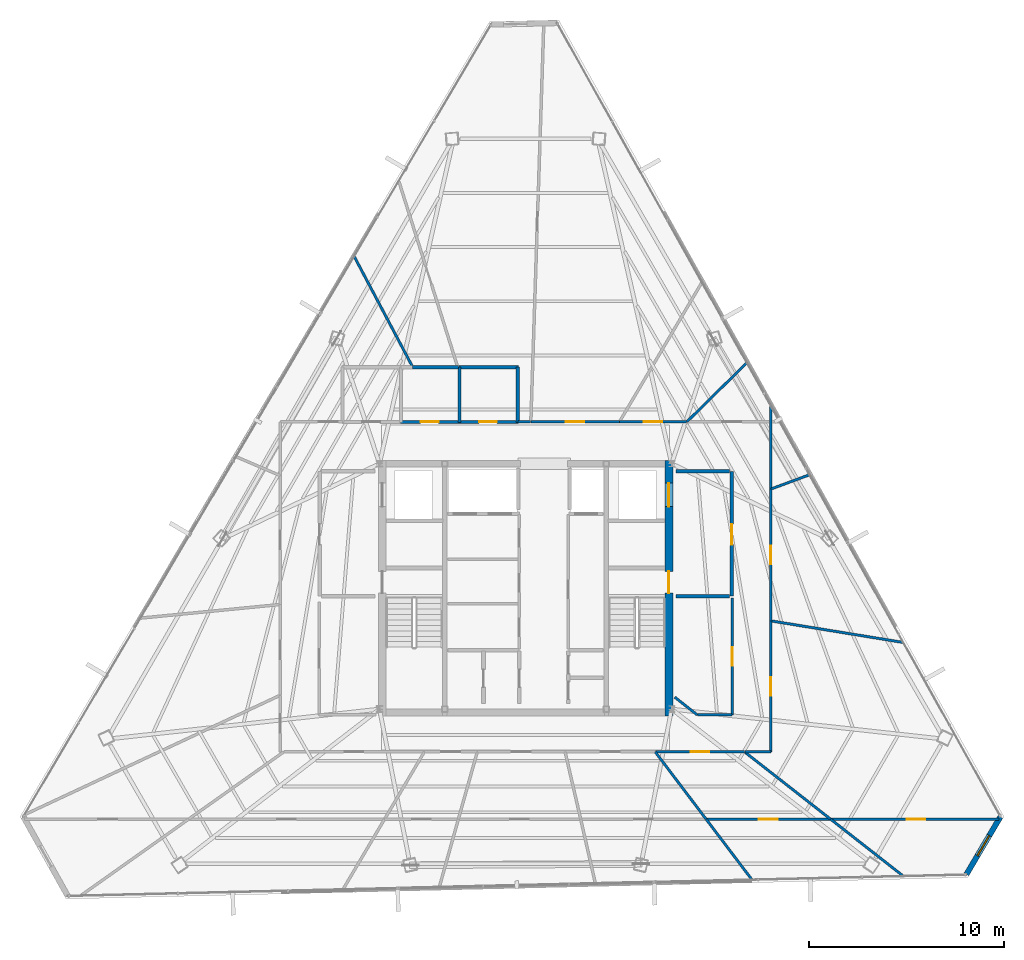
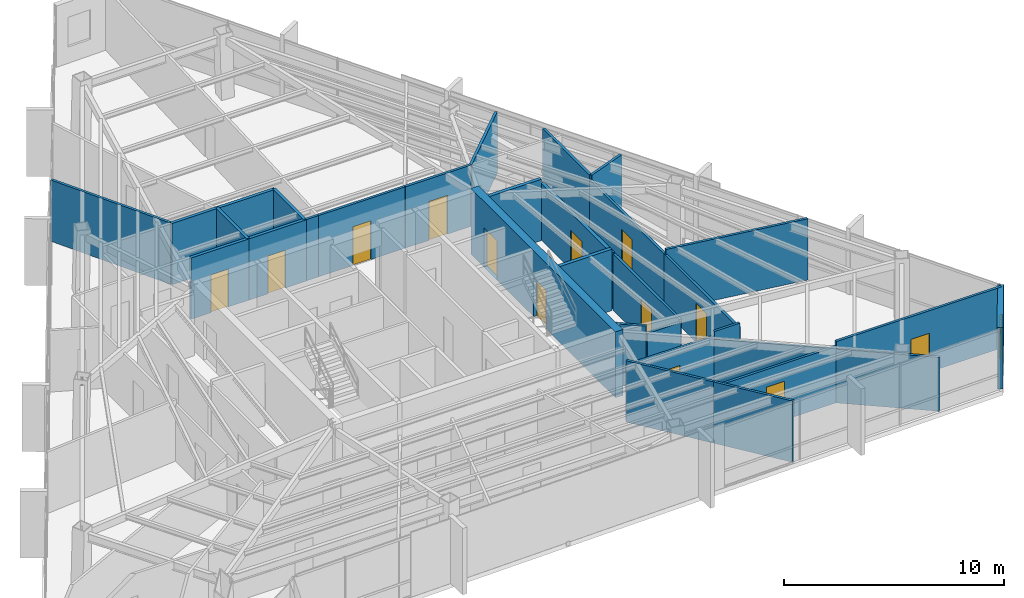
# One storey, part 41 of 44: 32 walls, 13 doors, 1 window, 14 openings.
"""IFC4 building model written with IfcOpenShell, lengths in metres."""

from ifc_helpers import new_model, si_unit, direction, frame, frame_2d, origin, place, context, subcontext, project, spatial, rectangle, extrude, material, layer, layer_set, type_object, element, fill, save


model = new_model("IFC4")

# Units and contexts
model_context = context("Model", 3, precision=1e-05, world=origin(), true_north=direction((0.0, 1.0)))
body_context = subcontext(model_context, "Body", "Model", "MODEL_VIEW")
ifc_project = project(units=[si_unit("LENGTHUNIT", "METRE"), si_unit("AREAUNIT", "SQUARE_METRE"), si_unit("VOLUMEUNIT", "CUBIC_METRE"), si_unit("PLANEANGLEUNIT", "RADIAN"), si_unit("MASSUNIT", "GRAM", prefix="KILO")], contexts=[model_context])

# Site, building, storey
site_placement = place(None, origin())
site = spatial("IfcSite", under=ifc_project, at=site_placement, CompositionType="ELEMENT")
building_placement = place(site_placement, origin())
building = spatial("IfcBuilding", under=site, at=building_placement, Name="Caelisora Broadcast Tower", CompositionType="ELEMENT")
storey_placement = place(building_placement, frame((0.0, 0.0, 259.050048828125)))
storey = spatial("IfcBuildingStorey", under=building, at=storey_placement, Name="L68", CompositionType="ELEMENT", Elevation=259.050048828125)

# Wall, openings, doors
ifc_material_1 = material(Name="Concrete 40 MPa (AS 3600 N40)", Category="concrete")
ifc_layer_1 = layer(ifc_material_1, 0.39990234375, Name="Concrete 40 MPa (AS 3600 N40)")
ifc_layer_set_1 = layer_set([ifc_layer_1], Name="Concrete 40 MPa (AS 3600 N40)")
wall_type_1 = type_object("IfcWallType", Name="CW3", PredefinedType="SHEAR", material=ifc_layer_set_1)
wall_1_placement = place(storey_placement, frame((45.360107421875, 17.050048828125, 0.0), z_axis=(0.0, 0.0, 1.0), x_axis=(0.0, 1.0, 0.0)))
wall_1 = element("IfcWall", 1, at=wall_1_placement, inside=storey, type_object=wall_type_1, Name="L68 core shear wall CW3", PredefinedType="SHEAR", context=body_context, shape_type="SweptSolid", body=[
    extrude(rectangle(XDim=13.125, YDim=0.39990234375, at=frame_2d((6.5625, 0.0))), origin(), (0.0, 0.0, 1.0), 3.64990234375),
])
opening_1_placement = place(wall_1_placement, frame((6.300048828125, 0.0, 0.0)))
opening_1 = element("IfcOpeningElement", 2, at=opening_1_placement, cuts=wall_1, Name="Opening FD04", PredefinedType="OPENING", context=body_context, shape_type="SweptSolid", body=[
    extrude(rectangle(XDim=1.1201171875, YDim=2.14990234375, at=frame_2d((0.56005859375, 1.074951171875))), frame((0.0, 0.2119140625, 0.0), z_axis=(0.0, -1.0, 0.0), x_axis=(1.0, 0.0, 0.0)), (0.0, 0.0, 1.0), 0.423828125),
])
opening_2_placement = place(wall_1_placement, frame((10.75, 0.0, 0.0)))
opening_2 = element("IfcOpeningElement", 3, at=opening_2_placement, cuts=wall_1, Name="Opening LD04", PredefinedType="OPENING", context=body_context, shape_type="SweptSolid", body=[
    extrude(rectangle(XDim=1.199951171875, YDim=2.199951171875, at=frame_2d((0.60009765625, 1.10009765625))), frame((0.0, 0.2119140625, 0.0), z_axis=(0.0, -1.0, 0.0), x_axis=(1.0, 0.0, 0.0)), (0.0, 0.0, 1.0), 0.423828125),
])
ifc_material_2 = material(Name="Pressurised Fire-Isolated Stair Door", Category="steel")
door_type_1 = type_object("IfcDoorType", Name="FD04", OperationType="NOTDEFINED", PredefinedType="DOOR", material=ifc_material_2)
door_1_placement = place(opening_1_placement, origin())
door_1 = element("IfcDoor", 4, at=door_1_placement, inside=storey, type_object=door_type_1, Name="L68 door FD04 (L68-DR-ST2)", OperationType="SINGLE_SWING_RIGHT", OverallHeight=2.14990234375, OverallWidth=1.1201171875, PredefinedType="DOOR", context=body_context, shape_type="SweptSolid", body=[
    extrude(rectangle(XDim=1.1201171875, YDim=2.14990234375, at=frame_2d((0.56005859375, 1.074951171875))), frame((0.0, 0.02490234375, 0.0), z_axis=(0.0, -1.0, 0.0), x_axis=(1.0, 0.0, 0.0)), (0.0, 0.0, 1.0), 0.050048828125),
])
fill(opening_1, door_1)
ifc_material_3 = material(Name="Emergency Firefighting Lift Sliding Landing Door", Category="steel")
door_type_2 = type_object("IfcDoorType", Name="LD04", OperationType="NOTDEFINED", PredefinedType="DOOR", material=ifc_material_3)
door_2_placement = place(opening_2_placement, origin())
door_2 = element("IfcDoor", 5, at=door_2_placement, inside=storey, type_object=door_type_2, Name="L68 door LD04 (L68-LD-FFL2)", OperationType="SLIDING_TO_RIGHT", OverallHeight=2.199951171875, OverallWidth=1.199951171875, PredefinedType="DOOR", context=body_context, shape_type="SweptSolid", body=[
    extrude(rectangle(XDim=1.199951171875, YDim=2.199951171875, at=frame_2d((0.60009765625, 1.10009765625))), frame((0.0, 0.02490234375, 0.0), z_axis=(0.0, -1.0, 0.0), x_axis=(1.0, 0.0, 0.0)), (0.0, 0.0, 1.0), 0.050048828125),
])
fill(opening_2, door_2)

# Wall, opening, window
ifc_material_4 = material(Name="Insulated Terracotta Spandrel Wall System", Category="masonry")
ifc_layer_2 = layer(ifc_material_4, 0.280029296875, Name="Insulated Terracotta Spandrel Wall System")
ifc_layer_set_2 = layer_set([ifc_layer_2], Name="Insulated Terracotta Spandrel Wall System")
wall_type_2 = type_object("IfcWallType", Name="EW1", PredefinedType="STANDARD", material=ifc_layer_set_2)
wall_2_placement = place(storey_placement, frame((62.376708984375, 11.86328125, 0.0), z_axis=(0.0, 0.0, 1.0), x_axis=(-0.508430793403, -0.861102855831, 0.0)))
wall_2 = element("IfcWall", 6, at=wall_2_placement, inside=storey, type_object=wall_type_2, Name="L68 exterior envelope wall EW1", PredefinedType="STANDARD", context=body_context, shape_type="SweptSolid", body=[
    extrude(rectangle(XDim=3.4169921875, YDim=0.280029296875, at=frame_2d((1.70849609375, 0.0))), origin(), (0.0, 0.0, 1.0), 3.39990234375),
])
opening_3_placement = place(wall_2_placement, frame((1.110107421875, 0.0, 0.89990234375)))
opening_3 = element("IfcOpeningElement", 7, at=opening_3_placement, cuts=wall_2, Name="Opening W03", PredefinedType="OPENING", context=body_context, shape_type="SweptSolid", body=[
    extrude(rectangle(XDim=1.199951171875, YDim=1.64990234375, at=frame_2d((0.60009765625, 0.824951171875))), frame((0.0, 0.152099609375, 0.0), z_axis=(0.0, -1.0, 0.0), x_axis=(1.0, 0.0, 0.0)), (0.0, 0.0, 1.0), 0.303955078125),
])
ifc_material_5 = material(Name="Double Glazed Corner Vision Window", Category="glass")
window_type = type_object("IfcWindowType", Name="W03", PartitioningType="SINGLE_PANEL", PredefinedType="WINDOW", material=ifc_material_5)
window_placement = place(opening_3_placement, origin())
window = element("IfcWindow", 8, at=window_placement, inside=storey, type_object=window_type, Name="L68 window W03 (L68-WN-CH0)", OverallHeight=1.64990234375, OverallWidth=1.199951171875, PartitioningType="SINGLE_PANEL", PredefinedType="WINDOW", context=body_context, shape_type="SweptSolid", body=[
    extrude(rectangle(XDim=1.199951171875, YDim=1.64990234375, at=frame_2d((0.60009765625, 0.824951171875))), frame((0.0, 0.030029296875, 0.0), z_axis=(0.0, -1.0, 0.0), x_axis=(1.0, 0.0, 0.0)), (0.0, 0.0, 1.0), 0.06005859375),
])
fill(opening_3, window)

# Wall, opening, door
ifc_material_6 = material(Name="Fire-Rated Gypsum Shaft and Compartment Wall", Category="gypsum")
ifc_layer_3 = layer(ifc_material_6, 0.179931640625, Name="Fire-Rated Gypsum Shaft and Compartment Wall")
ifc_layer_set_3 = layer_set([ifc_layer_3], Name="Fire-Rated Gypsum Shaft and Compartment Wall")
wall_type_3 = type_object("IfcWallType", Name="PW2", PredefinedType="PARTITIONING", material=ifc_layer_set_3)
wall_3_placement = place(storey_placement, frame((48.580078125, 23.199951171875, 0.0), z_axis=(0.0, 0.0, 1.0), x_axis=(0.0, 1.0, 0.0)))
wall_3 = element("IfcWall", 9, at=wall_3_placement, inside=storey, type_object=wall_type_3, Name="L68 fire compartment wall PW2", PredefinedType="PARTITIONING", context=body_context, shape_type="SweptSolid", body=[
    extrude(rectangle(XDim=6.400146484375, YDim=0.179931640625, at=frame_2d((3.2001953125, 0.0))), origin(), (0.0, 0.0, 1.0), 3.128662109375),
])
opening_4_placement = place(wall_3_placement, frame((2.64990234375, 0.0, 0.0)))
opening_4 = element("IfcOpeningElement", 10, at=opening_4_placement, cuts=wall_3, Name="Opening FD02", PredefinedType="OPENING", context=body_context, shape_type="SweptSolid", body=[
    extrude(rectangle(XDim=1.050048828125, YDim=2.14990234375, at=frame_2d((0.52490234375, 1.074951171875))), frame((0.0, 0.10205078125, 0.0), z_axis=(0.0, -1.0, 0.0), x_axis=(1.0, 0.0, 0.0)), (0.0, 0.0, 1.0), 0.203857421875),
])
ifc_material_7 = material(Name="Single-Leaf Steel Fire Lobby Door", Category="steel")
door_type_3 = type_object("IfcDoorType", Name="FD02", OperationType="NOTDEFINED", PredefinedType="DOOR", material=ifc_material_7)
door_3_placement = place(opening_4_placement, origin())
door_3 = element("IfcDoor", 11, at=door_3_placement, inside=storey, type_object=door_type_3, Name="L68 door FD02 (L68-DR-P04D1)", OperationType="SINGLE_SWING_RIGHT", OverallHeight=2.14990234375, OverallWidth=1.050048828125, PredefinedType="DOOR", context=body_context, shape_type="SweptSolid", body=[
    extrude(rectangle(XDim=1.050048828125, YDim=2.14990234375, at=frame_2d((0.52490234375, 1.074951171875))), frame((0.0, 0.02490234375, 0.0), z_axis=(0.0, -1.0, 0.0), x_axis=(1.0, 0.0, 0.0)), (0.0, 0.0, 1.0), 0.050048828125),
])
fill(opening_4, door_3)

# Walls
for number, where, z_axis, x_axis, name in (
    (12, (45.719970703125, 23.199951171875, 0.0), (0.0, 0.0, 1.0), (1.0, 0.0, 0.0), "L68 fire compartment wall PW2"),
    (13, (45.719970703125, 29.60009765625, 0.0), (0.0, 0.0, 1.0), (1.0, 0.0, 0.0), "L68 fire compartment wall PW2"),
):
    element("IfcWall", number, at=place(storey_placement, frame(where, z_axis=z_axis, x_axis=x_axis)), inside=storey, type_object=wall_type_3, Name=name, PredefinedType="PARTITIONING", context=body_context, shape_type="SweptSolid", body=[
        extrude(rectangle(XDim=2.760009765625, YDim=0.179931640625, at=frame_2d((1.3798828125, 0.0))), origin(), (0.0, 0.0, 1.0), 3.39990234375),
    ])

# Wall, opening, door
ifc_material_8 = material(Name="Acoustic Steel-Stud Plasterboard Partition", Category="gypsum")
ifc_layer_4 = layer(ifc_material_8, 0.1298828125, Name="Acoustic Steel-Stud Plasterboard Partition")
ifc_layer_set_4 = layer_set([ifc_layer_4], Name="Acoustic Steel-Stud Plasterboard Partition")
wall_type_4 = type_object("IfcWallType", Name="PW3", PredefinedType="PARTITIONING", material=ifc_layer_set_4)
wall_4_placement = place(storey_placement, frame((53.6650390625, 11.75, 0.0), z_axis=(0.0, 0.0, 1.0), x_axis=(1.0, 0.0, 0.0)))
wall_4 = element("IfcWall", 14, at=wall_4_placement, inside=storey, type_object=wall_type_4, Name="L68 internal partition PW3", PredefinedType="PARTITIONING", context=body_context, shape_type="SweptSolid", body=[
    extrude(rectangle(XDim=8.650634765625, YDim=0.1298828125, at=frame_2d((4.3251953125, 0.0))), origin(), (0.0, 0.0, 1.0), 3.39990234375),
])
opening_5_placement = place(wall_4_placement, frame((3.903076171875, 0.0, 0.0)))
opening_5 = element("IfcOpeningElement", 15, at=opening_5_placement, cuts=wall_4, Name="Opening D01", PredefinedType="OPENING", context=body_context, shape_type="SweptSolid", body=[
    extrude(rectangle(XDim=0.9599609375, YDim=2.14990234375, at=frame_2d((0.47998046875, 1.074951171875))), frame((0.0, 0.076904296875, 0.0), z_axis=(0.0, -1.0, 0.0), x_axis=(1.0, 0.0, 0.0)), (0.0, 0.0, 1.0), 0.15380859375),
])
ifc_material_9 = material(Name="Solid-Core Timber Acoustic Office Door", Category="wood")
door_type_4 = type_object("IfcDoorType", Name="D01", OperationType="NOTDEFINED", PredefinedType="DOOR", material=ifc_material_9)
door_4_placement = place(opening_5_placement, origin())
door_4 = element("IfcDoor", 16, at=door_4_placement, inside=storey, type_object=door_type_4, Name="L68 door D01 (L68-DR-P35D1)", OperationType="SINGLE_SWING_LEFT", OverallHeight=2.14990234375, OverallWidth=0.9599609375, PredefinedType="DOOR", context=body_context, shape_type="SweptSolid", body=[
    extrude(rectangle(XDim=0.9599609375, YDim=2.14990234375, at=frame_2d((0.47998046875, 1.074951171875))), frame((0.0, 0.02490234375, 0.0), z_axis=(0.0, -1.0, 0.0), x_axis=(1.0, 0.0, 0.0)), (0.0, 0.0, 1.0), 0.050048828125),
])
fill(opening_5, door_4)

# Wall
wall_5_placement = place(storey_placement, frame((50.60498046875, 21.928955078125, 0.0), z_axis=(0.0, 0.0, 1.0), x_axis=(0.98697275056, -0.160887506203, 0.0)))
element("IfcWall", 17, at=wall_5_placement, inside=storey, type_object=wall_type_4, Name="L68 internal partition PW3", PredefinedType="PARTITIONING", context=body_context, shape_type="SweptSolid", body=[
    extrude(rectangle(XDim=6.890869140625, YDim=0.1298828125, at=frame_2d((3.4453125, 0.0))), origin(), (0.0, 0.0, 1.0), 3.39990234375),
])

# Wall, opening, door
wall_6_placement = place(storey_placement, frame((50.60009765625, 21.93505859375, 0.0), z_axis=(0.0, 0.0, 1.0), x_axis=(0.0, 1.0, 0.0)))
wall_6 = element("IfcWall", 18, at=wall_6_placement, inside=storey, type_object=wall_type_4, Name="L68 internal partition PW3", PredefinedType="PARTITIONING", context=body_context, shape_type="SweptSolid", body=[
    extrude(rectangle(XDim=6.760009765625, YDim=0.1298828125, at=frame_2d((3.3798828125, 0.0))), origin(), (0.0, 0.0, 1.0), 3.128662109375),
])
opening_6_placement = place(wall_6_placement, frame((2.89990234375, 0.0, 0.0)))
opening_6 = element("IfcOpeningElement", 19, at=opening_6_placement, cuts=wall_6, Name="Opening D01", PredefinedType="OPENING", context=body_context, shape_type="SweptSolid", body=[
    extrude(rectangle(XDim=0.9599609375, YDim=2.14990234375, at=frame_2d((0.47998046875, 1.074951171875))), frame((0.0, 0.076904296875, 0.0), z_axis=(0.0, -1.0, 0.0), x_axis=(1.0, 0.0, 0.0)), (0.0, 0.0, 1.0), 0.15380859375),
])
door_5_placement = place(opening_6_placement, origin())
door_5 = element("IfcDoor", 20, at=door_5_placement, inside=storey, type_object=door_type_4, Name="L68 door D01 (L68-DR-P43D1)", OperationType="SINGLE_SWING_RIGHT", OverallHeight=2.14990234375, OverallWidth=0.9599609375, PredefinedType="DOOR", context=body_context, shape_type="SweptSolid", body=[
    extrude(rectangle(XDim=0.9599609375, YDim=2.14990234375, at=frame_2d((0.47998046875, 1.074951171875))), frame((0.0, 0.02490234375, 0.0), z_axis=(0.0, -1.0, 0.0), x_axis=(1.0, 0.0, 0.0)), (0.0, 0.0, 1.0), 0.050048828125),
])
fill(opening_6, door_5)

wall_7_placement = place(storey_placement, frame((50.60009765625, 15.205078125, 0.0), z_axis=(0.0, 0.0, 1.0), x_axis=(0.0, 1.0, 0.0)))
wall_7 = element("IfcWall", 21, at=wall_7_placement, inside=storey, type_object=wall_type_4, Name="L68 internal partition PW3", PredefinedType="PARTITIONING", context=body_context, shape_type="SweptSolid", body=[
    extrude(rectangle(XDim=6.719970703125, YDim=0.1298828125, at=frame_2d((3.35986328125, 0.0))), origin(), (0.0, 0.0, 1.0), 3.128662109375),
])
opening_7_placement = place(wall_7_placement, frame((2.8798828125, 0.0, 0.0)))
opening_7 = element("IfcOpeningElement", 22, at=opening_7_placement, cuts=wall_7, Name="Opening D01", PredefinedType="OPENING", context=body_context, shape_type="SweptSolid", body=[
    extrude(rectangle(XDim=0.9599609375, YDim=2.14990234375, at=frame_2d((0.47998046875, 1.074951171875))), frame((0.0, 0.076904296875, 0.0), z_axis=(0.0, -1.0, 0.0), x_axis=(1.0, 0.0, 0.0)), (0.0, 0.0, 1.0), 0.15380859375),
])
door_6_placement = place(opening_7_placement, origin())
door_6 = element("IfcDoor", 23, at=door_6_placement, inside=storey, type_object=door_type_4, Name="L68 door D01 (L68-DR-P44D1)", OperationType="SINGLE_SWING_LEFT", OverallHeight=2.14990234375, OverallWidth=0.9599609375, PredefinedType="DOOR", context=body_context, shape_type="SweptSolid", body=[
    extrude(rectangle(XDim=0.9599609375, YDim=2.14990234375, at=frame_2d((0.47998046875, 1.074951171875))), frame((0.0, 0.02490234375, 0.0), z_axis=(0.0, -1.0, 0.0), x_axis=(1.0, 0.0, 0.0)), (0.0, 0.0, 1.0), 0.050048828125),
])
fill(opening_7, door_6)

# Wall
wall_8_placement = place(storey_placement, frame((29.19873046875, 40.64794921875, 0.0), z_axis=(0.0, 0.0, 1.0), x_axis=(0.467267535374, -0.884115971118, 0.0)))
element("IfcWall", 24, at=wall_8_placement, inside=storey, type_object=wall_type_4, Name="L68 internal partition PW3", PredefinedType="PARTITIONING", context=body_context, shape_type="SweptSolid", body=[
    extrude(rectangle(XDim=6.440185546875, YDim=0.1298828125, at=frame_2d((3.22021484375, 0.0))), origin(), (0.0, 0.0, 1.0), 3.39990234375),
])

# Wall, opening, door
wall_9_placement = place(storey_placement, frame((47.27490234375, 11.75, 0.0), z_axis=(0.0, 0.0, 1.0), x_axis=(1.0, 0.0, 0.0)))
wall_9 = element("IfcWall", 25, at=wall_9_placement, inside=storey, type_object=wall_type_4, Name="L68 internal partition PW3", PredefinedType="PARTITIONING", context=body_context, shape_type="SweptSolid", body=[
    extrude(rectangle(XDim=6.380126953125, YDim=0.1298828125, at=frame_2d((3.18994140625, 0.0))), origin(), (0.0, 0.0, 1.0), 3.128662109375),
])
opening_8_placement = place(wall_9_placement, frame((2.7099609375, 0.0, 0.0)))
opening_8 = element("IfcOpeningElement", 26, at=opening_8_placement, cuts=wall_9, Name="Opening D01", PredefinedType="OPENING", context=body_context, shape_type="SweptSolid", body=[
    extrude(rectangle(XDim=0.9599609375, YDim=2.14990234375, at=frame_2d((0.47998046875, 1.074951171875))), frame((0.0, 0.076904296875, 0.0), z_axis=(0.0, -1.0, 0.0), x_axis=(1.0, 0.0, 0.0)), (0.0, 0.0, 1.0), 0.15380859375),
])
door_7_placement = place(opening_8_placement, origin())
door_7 = element("IfcDoor", 27, at=door_7_placement, inside=storey, type_object=door_type_4, Name="L68 door D01 (L68-DR-P48D1)", OperationType="SINGLE_SWING_RIGHT", OverallHeight=2.14990234375, OverallWidth=0.9599609375, PredefinedType="DOOR", context=body_context, shape_type="SweptSolid", body=[
    extrude(rectangle(XDim=0.9599609375, YDim=2.14990234375, at=frame_2d((0.47998046875, 1.074951171875))), frame((0.0, 0.02490234375, 0.0), z_axis=(0.0, -1.0, 0.0), x_axis=(1.0, 0.0, 0.0)), (0.0, 0.0, 1.0), 0.050048828125),
])
fill(opening_8, door_7)

wall_10_placement = place(storey_placement, frame((48.60009765625, 17.10498046875, 0.0), z_axis=(0.0, 0.0, 1.0), x_axis=(0.0, 1.0, 0.0)))
wall_10 = element("IfcWall", 28, at=wall_10_placement, inside=storey, type_object=wall_type_4, Name="L68 internal partition PW3", PredefinedType="PARTITIONING", context=body_context, shape_type="SweptSolid", body=[
    extrude(rectangle(XDim=6.0, YDim=0.1298828125, at=frame_2d((3.0, 0.0))), origin(), (0.0, 0.0, 1.0), 3.128662109375),
])
opening_9_placement = place(wall_10_placement, frame((2.52001953125, 0.0, 0.0)))
opening_9 = element("IfcOpeningElement", 29, at=opening_9_placement, cuts=wall_10, Name="Opening D01", PredefinedType="OPENING", context=body_context, shape_type="SweptSolid", body=[
    extrude(rectangle(XDim=0.9599609375, YDim=2.14990234375, at=frame_2d((0.47998046875, 1.074951171875))), frame((0.0, 0.076904296875, 0.0), z_axis=(0.0, -1.0, 0.0), x_axis=(1.0, 0.0, 0.0)), (0.0, 0.0, 1.0), 0.15380859375),
])
door_8_placement = place(opening_9_placement, origin())
door_8 = element("IfcDoor", 30, at=door_8_placement, inside=storey, type_object=door_type_4, Name="L68 door D01 (L68-DR-P50D1)", OperationType="SINGLE_SWING_RIGHT", OverallHeight=2.14990234375, OverallWidth=0.9599609375, PredefinedType="DOOR", context=body_context, shape_type="SweptSolid", body=[
    extrude(rectangle(XDim=0.9599609375, YDim=2.14990234375, at=frame_2d((0.47998046875, 1.074951171875))), frame((0.0, 0.02490234375, 0.0), z_axis=(0.0, -1.0, 0.0), x_axis=(1.0, 0.0, 0.0)), (0.0, 0.0, 1.0), 0.050048828125),
])
fill(opening_9, door_8)

# Walls
wall_11_placement = place(storey_placement, frame((49.25390625, 15.197021484375, 0.0), z_axis=(0.0, 0.0, 1.0), x_axis=(0.787594401057, -0.616194011187, 0.0)))
element("IfcWall", 31, at=wall_11_placement, inside=storey, type_object=wall_type_4, Name="L68 internal partition PW3", PredefinedType="PARTITIONING", context=body_context, shape_type="SweptSolid", body=[
    extrude(rectangle(XDim=5.58935546875, YDim=0.1298828125, at=frame_2d((2.794677734375, 0.0))), origin(), (0.0, 0.0, 1.0), 2.98486328125),
])
wall_12_placement = place(storey_placement, frame((53.6640625, 11.7470703125, 0.0), z_axis=(0.0, 0.0, 1.0), x_axis=(0.787358807246, -0.616495019163, 0.0)))
element("IfcWall", 32, at=wall_12_placement, inside=storey, type_object=wall_type_4, Name="L68 internal partition PW3", PredefinedType="PARTITIONING", context=body_context, shape_type="SweptSolid", body=[
    extrude(rectangle(XDim=4.758056640625, YDim=0.1298828125, at=frame_2d((2.37890625, 0.0))), origin(), (0.0, 0.0, 1.0), 2.98486328125),
])

# Wall, opening, door
wall_13_placement = place(storey_placement, frame((44.6650390625, 15.199951171875, 0.0), z_axis=(0.0, 0.0, 1.0), x_axis=(1.0, 0.0, 0.0)))
wall_13 = element("IfcWall", 33, at=wall_13_placement, inside=storey, type_object=wall_type_4, Name="L68 internal partition PW3", PredefinedType="PARTITIONING", context=body_context, shape_type="SweptSolid", body=[
    extrude(rectangle(XDim=4.580078125, YDim=0.1298828125, at=frame_2d((2.2900390625, 0.0))), origin(), (0.0, 0.0, 1.0), 3.128662109375),
])
opening_10_placement = place(wall_13_placement, frame((1.81005859375, 0.0, 0.0)))
opening_10 = element("IfcOpeningElement", 34, at=opening_10_placement, cuts=wall_13, Name="Opening D01", PredefinedType="OPENING", context=body_context, shape_type="SweptSolid", body=[
    extrude(rectangle(XDim=0.9599609375, YDim=2.14990234375, at=frame_2d((0.47998046875, 1.074951171875))), frame((0.0, 0.076904296875, 0.0), z_axis=(0.0, -1.0, 0.0), x_axis=(1.0, 0.0, 0.0)), (0.0, 0.0, 1.0), 0.15380859375),
])
door_9_placement = place(opening_10_placement, origin())
door_9 = element("IfcDoor", 35, at=door_9_placement, inside=storey, type_object=door_type_4, Name="L68 door D01 (L68-DR-P57D1)", OperationType="SINGLE_SWING_RIGHT", OverallHeight=2.14990234375, OverallWidth=0.9599609375, PredefinedType="DOOR", context=body_context, shape_type="SweptSolid", body=[
    extrude(rectangle(XDim=0.9599609375, YDim=2.14990234375, at=frame_2d((0.47998046875, 1.074951171875))), frame((0.0, 0.02490234375, 0.0), z_axis=(0.0, -1.0, 0.0), x_axis=(1.0, 0.0, 0.0)), (0.0, 0.0, 1.0), 0.050048828125),
])
fill(opening_10, door_9)

wall_14_placement = place(storey_placement, frame((38.27490234375, 32.14990234375, 0.0), z_axis=(0.0, 0.0, 1.0), x_axis=(1.0, 0.0, 0.0)))
wall_14 = element("IfcWall", 36, at=wall_14_placement, inside=storey, type_object=wall_type_4, Name="L68 internal partition PW3", PredefinedType="PARTITIONING", context=body_context, shape_type="SweptSolid", body=[
    extrude(rectangle(XDim=4.5400390625, YDim=0.1298828125, at=frame_2d((2.27001953125, 0.0))), origin(), (0.0, 0.0, 1.0), 3.39990234375),
])
opening_11_placement = place(wall_14_placement, frame((1.7900390625, 0.0, 0.0)))
opening_11 = element("IfcOpeningElement", 37, at=opening_11_placement, cuts=wall_14, Name="Opening D01", PredefinedType="OPENING", context=body_context, shape_type="SweptSolid", body=[
    extrude(rectangle(XDim=0.9599609375, YDim=2.14990234375, at=frame_2d((0.47998046875, 1.074951171875))), frame((0.0, 0.076904296875, 0.0), z_axis=(0.0, -1.0, 0.0), x_axis=(1.0, 0.0, 0.0)), (0.0, 0.0, 1.0), 0.15380859375),
])
door_10_placement = place(opening_11_placement, origin())
door_10 = element("IfcDoor", 38, at=door_10_placement, inside=storey, type_object=door_type_4, Name="L68 door D01 (L68-DR-P58D1)", OperationType="SINGLE_SWING_LEFT", OverallHeight=2.14990234375, OverallWidth=0.9599609375, PredefinedType="DOOR", context=body_context, shape_type="SweptSolid", body=[
    extrude(rectangle(XDim=0.9599609375, YDim=2.14990234375, at=frame_2d((0.47998046875, 1.074951171875))), frame((0.0, 0.02490234375, 0.0), z_axis=(0.0, -1.0, 0.0), x_axis=(1.0, 0.0, 0.0)), (0.0, 0.0, 1.0), 0.050048828125),
])
fill(opening_11, door_10)

# Walls
wall_15_placement = place(storey_placement, frame((46.283935546875, 32.154052734375, 0.0), z_axis=(0.0, 0.0, 1.0), x_axis=(0.712718472903, 0.701450196652, 0.0)))
element("IfcWall", 39, at=wall_15_placement, inside=storey, type_object=wall_type_4, Name="L68 internal partition PW3", PredefinedType="PARTITIONING", context=body_context, shape_type="SweptSolid", body=[
    extrude(rectangle(XDim=4.333251953125, YDim=0.1298828125, at=frame_2d((2.16650390625, 0.0))), origin(), (0.0, 0.0, 1.0), 3.39990234375),
])
wall_16_placement = place(storey_placement, frame((44.6630859375, 15.196044921875, 0.0), z_axis=(0.0, 0.0, 1.0), x_axis=(0.603316292452, -0.797502007058, 0.0)))
element("IfcWall", 40, at=wall_16_placement, inside=storey, type_object=wall_type_4, Name="L68 internal partition PW3", PredefinedType="PARTITIONING", context=body_context, shape_type="SweptSolid", body=[
    extrude(rectangle(XDim=4.316162109375, YDim=0.1298828125, at=frame_2d((2.158203125, 0.0))), origin(), (0.0, 0.0, 1.0), 3.39990234375),
])
wall_17_placement = place(storey_placement, frame((47.27294921875, 11.74609375, 0.0), z_axis=(0.0, 0.0, 1.0), x_axis=(0.603581107336, -0.797301603452, 0.0)))
element("IfcWall", 41, at=wall_17_placement, inside=storey, type_object=wall_type_4, Name="L68 internal partition PW3", PredefinedType="PARTITIONING", context=body_context, shape_type="SweptSolid", body=[
    extrude(rectangle(XDim=3.909423828125, YDim=0.1298828125, at=frame_2d((1.95458984375, 0.0))), origin(), (0.0, 0.0, 1.0), 3.39990234375),
])

# Wall, opening, door
wall_18_placement = place(storey_placement, frame((42.824951171875, 32.14990234375, 0.0), z_axis=(0.0, 0.0, 1.0), x_axis=(1.0, 0.0, 0.0)))
wall_18 = element("IfcWall", 42, at=wall_18_placement, inside=storey, type_object=wall_type_4, Name="L68 internal partition PW3", PredefinedType="PARTITIONING", context=body_context, shape_type="SweptSolid", body=[
    extrude(rectangle(XDim=3.449951171875, YDim=0.1298828125, at=frame_2d((1.72509765625, 0.0))), origin(), (0.0, 0.0, 1.0), 3.39990234375),
])
opening_12_placement = place(wall_18_placement, frame((1.2451171875, 0.0, 0.0)))
opening_12 = element("IfcOpeningElement", 43, at=opening_12_placement, cuts=wall_18, Name="Opening D01", PredefinedType="OPENING", context=body_context, shape_type="SweptSolid", body=[
    extrude(rectangle(XDim=0.9599609375, YDim=2.14990234375, at=frame_2d((0.47998046875, 1.074951171875))), frame((0.0, 0.076904296875, 0.0), z_axis=(0.0, -1.0, 0.0), x_axis=(1.0, 0.0, 0.0)), (0.0, 0.0, 1.0), 0.15380859375),
])
door_11_placement = place(opening_12_placement, origin())
door_11 = element("IfcDoor", 44, at=door_11_placement, inside=storey, type_object=door_type_4, Name="L68 door D01 (L68-DR-P71D1)", OperationType="SINGLE_SWING_LEFT", OverallHeight=2.14990234375, OverallWidth=0.9599609375, PredefinedType="DOOR", context=body_context, shape_type="SweptSolid", body=[
    extrude(rectangle(XDim=0.9599609375, YDim=2.14990234375, at=frame_2d((0.47998046875, 1.074951171875))), frame((0.0, 0.02490234375, 0.0), z_axis=(0.0, -1.0, 0.0), x_axis=(1.0, 0.0, 0.0)), (0.0, 0.0, 1.0), 0.050048828125),
])
fill(opening_12, door_11)

# Walls
wall_19_placement = place(storey_placement, frame((50.60009765625, 28.705078125, 0.0), z_axis=(0.0, 0.0, 1.0), x_axis=(0.0, 1.0, 0.0)))
element("IfcWall", 45, at=wall_19_placement, inside=storey, type_object=wall_type_4, Name="L68 internal partition PW3", PredefinedType="PARTITIONING", context=body_context, shape_type="SweptSolid", body=[
    extrude(rectangle(XDim=4.26171875, YDim=0.1298828125, at=frame_2d((2.130859375, 0.0))), origin(), (0.0, 0.0, 1.0), 3.39990234375),
])
wall_20_placement = place(storey_placement, frame((50.60498046875, 28.701904296875, 0.0), z_axis=(0.0, 0.0, 1.0), x_axis=(0.937804399787, 0.347164093391, 0.0)))
element("IfcWall", 46, at=wall_20_placement, inside=storey, type_object=wall_type_4, Name="L68 internal partition PW3", PredefinedType="PARTITIONING", context=body_context, shape_type="SweptSolid", body=[
    extrude(rectangle(XDim=2.11669921875, YDim=0.1298828125, at=frame_2d((1.058349609375, 0.0))), origin(), (0.0, 0.0, 1.0), 3.39990234375),
])
wall_21_placement = place(storey_placement, frame((46.824951171875, 17.10009765625, 0.0), z_axis=(0.0, 0.0, 1.0), x_axis=(1.0, 0.0, 0.0)))
element("IfcWall", 47, at=wall_21_placement, inside=storey, type_object=wall_type_4, Name="L68 internal partition PW3", PredefinedType="PARTITIONING", context=body_context, shape_type="SweptSolid", body=[
    extrude(rectangle(XDim=1.77001953125, YDim=0.1298828125, at=frame_2d((0.885009765625, 0.0))), origin(), (0.0, 0.0, 1.0), 2.98486328125),
])
wall_22_placement = place(storey_placement, frame((46.81591796875, 17.10302734375, 0.0), z_axis=(0.0, 0.0, 1.0), x_axis=(-0.785713874632, 0.618590096276, 0.0)))
element("IfcWall", 48, at=wall_22_placement, inside=storey, type_object=wall_type_4, Name="L68 internal partition PW3", PredefinedType="PARTITIONING", context=body_context, shape_type="SweptSolid", body=[
    extrude(rectangle(XDim=1.472412109375, YDim=0.1298828125, at=frame_2d((0.736328125, 0.0))), origin(), (0.0, 0.0, 1.0), 3.39990234375),
])
wall_23_placement = place(storey_placement, frame((49.2548828125, 15.199951171875, 0.0), z_axis=(0.0, 0.0, 1.0), x_axis=(1.0, 0.0, 0.0)))
element("IfcWall", 49, at=wall_23_placement, inside=storey, type_object=wall_type_4, Name="L68 internal partition PW3", PredefinedType="PARTITIONING", context=body_context, shape_type="SweptSolid", body=[
    extrude(rectangle(XDim=1.340087890625, YDim=0.1298828125, at=frame_2d((0.669921875, 0.0))), origin(), (0.0, 0.0, 1.0), 3.39990234375),
])
wall_24_placement = place(storey_placement, frame((37.60498046875, 32.14990234375, 0.0), z_axis=(0.0, 0.0, 1.0), x_axis=(1.0, 0.0, 0.0)))
element("IfcWall", 50, at=wall_24_placement, inside=storey, type_object=wall_type_4, Name="L68 internal partition PW3", PredefinedType="PARTITIONING", context=body_context, shape_type="SweptSolid", body=[
    extrude(rectangle(XDim=0.659912109375, YDim=0.1298828125, at=frame_2d((0.330078125, 0.0))), origin(), (0.0, 0.0, 1.0), 3.39990234375),
])

# Wall, opening, door
ifc_material_10 = material(Name="Moisture-Resistant Wet Plumbing Service Wall", Category="gypsum")
ifc_layer_5 = layer(ifc_material_10, 0.159912109375, Name="Moisture-Resistant Wet Plumbing Service Wall")
ifc_layer_set_5 = layer_set([ifc_layer_5], Name="Moisture-Resistant Wet Plumbing Service Wall")
wall_type_5 = type_object("IfcWallType", Name="PW4", PredefinedType="PLUMBINGWALL", material=ifc_layer_set_5)
wall_25_placement = place(storey_placement, frame((31.574951171875, 32.14990234375, 0.0), z_axis=(0.0, 0.0, 1.0), x_axis=(1.0, 0.0, 0.0)))
wall_25 = element("IfcWall", 51, at=wall_25_placement, inside=storey, type_object=wall_type_5, Name="L68 wet plumbing wall PW4", PredefinedType="PLUMBINGWALL", context=body_context, shape_type="SweptSolid", body=[
    extrude(rectangle(XDim=3.050048828125, YDim=0.159912109375, at=frame_2d((1.52490234375, 0.0))), origin(), (0.0, 0.0, 1.0), 3.39990234375),
])
opening_13_placement = place(wall_25_placement, frame((1.034912109375, 0.0, 0.0)))
opening_13 = element("IfcOpeningElement", 52, at=opening_13_placement, cuts=wall_25, Name="Opening D03", PredefinedType="OPENING", context=body_context, shape_type="SweptSolid", body=[
    extrude(rectangle(XDim=0.919921875, YDim=2.10009765625, at=frame_2d((0.4599609375, 1.050048828125))), frame((0.0, 0.092041015625, 0.0), z_axis=(0.0, -1.0, 0.0), x_axis=(1.0, 0.0, 0.0)), (0.0, 0.0, 1.0), 0.183837890625),
])
ifc_material_11 = material(Name="Laminate Moisture-Resistant Amenity WC Door", Category="wood")
door_type_5 = type_object("IfcDoorType", Name="D03", OperationType="NOTDEFINED", PredefinedType="DOOR", material=ifc_material_11)
door_12_placement = place(opening_13_placement, origin())
door_12 = element("IfcDoor", 53, at=door_12_placement, inside=storey, type_object=door_type_5, Name="L68 door D03 (L68-DR-P20D1)", OperationType="SINGLE_SWING_RIGHT", OverallHeight=2.10009765625, OverallWidth=0.919921875, PredefinedType="DOOR", context=body_context, shape_type="SweptSolid", body=[
    extrude(rectangle(XDim=0.919921875, YDim=2.10009765625, at=frame_2d((0.4599609375, 1.050048828125))), frame((0.0, 0.02490234375, 0.0), z_axis=(0.0, -1.0, 0.0), x_axis=(1.0, 0.0, 0.0)), (0.0, 0.0, 1.0), 0.050048828125),
])
fill(opening_13, door_12)

wall_26_placement = place(storey_placement, frame((34.574951171875, 32.14990234375, 0.0), z_axis=(0.0, 0.0, 1.0), x_axis=(1.0, 0.0, 0.0)))
wall_26 = element("IfcWall", 54, at=wall_26_placement, inside=storey, type_object=wall_type_5, Name="L68 wet plumbing wall PW4", PredefinedType="PLUMBINGWALL", context=body_context, shape_type="SweptSolid", body=[
    extrude(rectangle(XDim=3.050048828125, YDim=0.159912109375, at=frame_2d((1.52490234375, 0.0))), origin(), (0.0, 0.0, 1.0), 3.39990234375),
])
opening_14_placement = place(wall_26_placement, frame((1.034912109375, 0.0, 0.0)))
opening_14 = element("IfcOpeningElement", 55, at=opening_14_placement, cuts=wall_26, Name="Opening D03", PredefinedType="OPENING", context=body_context, shape_type="SweptSolid", body=[
    extrude(rectangle(XDim=0.919921875, YDim=2.10009765625, at=frame_2d((0.4599609375, 1.050048828125))), frame((0.0, 0.092041015625, 0.0), z_axis=(0.0, -1.0, 0.0), x_axis=(1.0, 0.0, 0.0)), (0.0, 0.0, 1.0), 0.183837890625),
])
door_13_placement = place(opening_14_placement, origin())
door_13 = element("IfcDoor", 56, at=door_13_placement, inside=storey, type_object=door_type_5, Name="L68 door D03 (L68-DR-P21D1)", OperationType="SINGLE_SWING_LEFT", OverallHeight=2.10009765625, OverallWidth=0.919921875, PredefinedType="DOOR", context=body_context, shape_type="SweptSolid", body=[
    extrude(rectangle(XDim=0.919921875, YDim=2.10009765625, at=frame_2d((0.4599609375, 1.050048828125))), frame((0.0, 0.02490234375, 0.0), z_axis=(0.0, -1.0, 0.0), x_axis=(1.0, 0.0, 0.0)), (0.0, 0.0, 1.0), 0.050048828125),
])
fill(opening_14, door_13)

# Walls
wall_27_placement = place(storey_placement, frame((37.625, 34.949951171875, 0.0), z_axis=(0.0, 0.0, 1.0), x_axis=(-1.0, 0.0, 0.0)))
element("IfcWall", 57, at=wall_27_placement, inside=storey, type_object=wall_type_5, Name="L68 wet plumbing wall PW4", PredefinedType="PLUMBINGWALL", context=body_context, shape_type="SweptSolid", body=[
    extrude(rectangle(XDim=3.050048828125, YDim=0.159912109375, at=frame_2d((1.52490234375, 0.0))), origin(), (0.0, 0.0, 1.0), 3.39990234375),
])
for number, where, z_axis, x_axis, name in (
    (58, (34.60009765625, 32.125, 0.0), (0.0, 0.0, 1.0), (0.0, 1.0, 0.0), "L68 wet plumbing wall PW4"),
    (59, (37.60009765625, 32.125, 0.0), (0.0, 0.0, 1.0), (0.0, 1.0, 0.0), "L68 wet plumbing wall PW4"),
):
    element("IfcWall", number, at=place(storey_placement, frame(where, z_axis=z_axis, x_axis=x_axis)), inside=storey, type_object=wall_type_5, Name=name, PredefinedType="PLUMBINGWALL", context=body_context, shape_type="SweptSolid", body=[
        extrude(rectangle(XDim=2.85009765625, YDim=0.159912109375, at=frame_2d((1.425048828125, 0.0))), origin(), (0.0, 0.0, 1.0), 3.39990234375),
    ])
wall_28_placement = place(storey_placement, frame((32.18505859375, 34.949951171875, 0.0), z_axis=(0.0, 0.0, 1.0), x_axis=(1.0, 0.0, 0.0)))
element("IfcWall", 60, at=wall_28_placement, inside=storey, type_object=wall_type_5, Name="L68 wet plumbing wall PW4", PredefinedType="PLUMBINGWALL", context=body_context, shape_type="SweptSolid", body=[
    extrude(rectangle(XDim=2.35986328125, YDim=0.159912109375, at=frame_2d((1.179931640625, 0.0))), origin(), (0.0, 0.0, 1.0), 3.39990234375),
])

save(model, "model.ifc")
